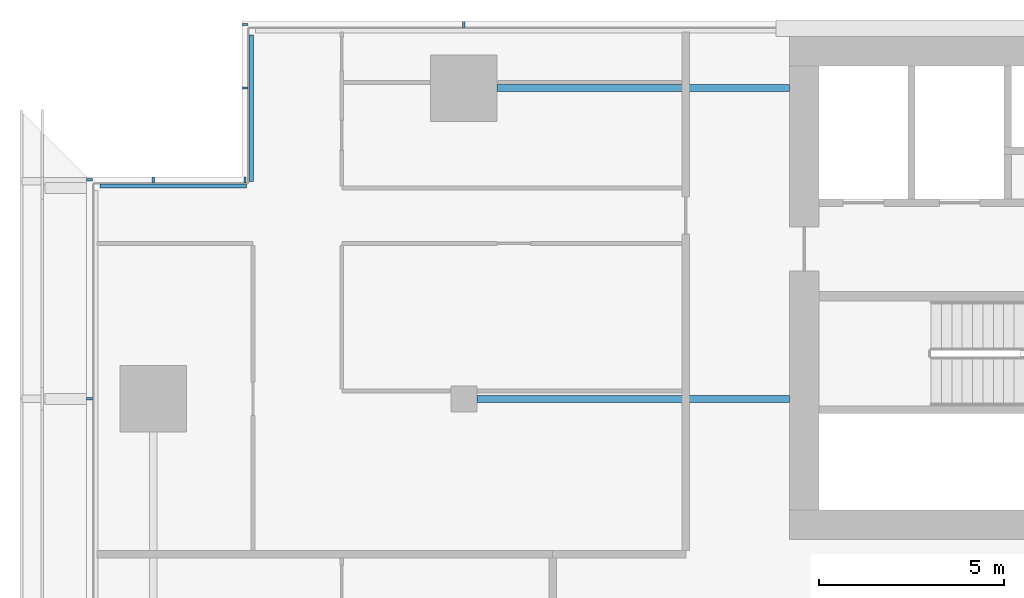
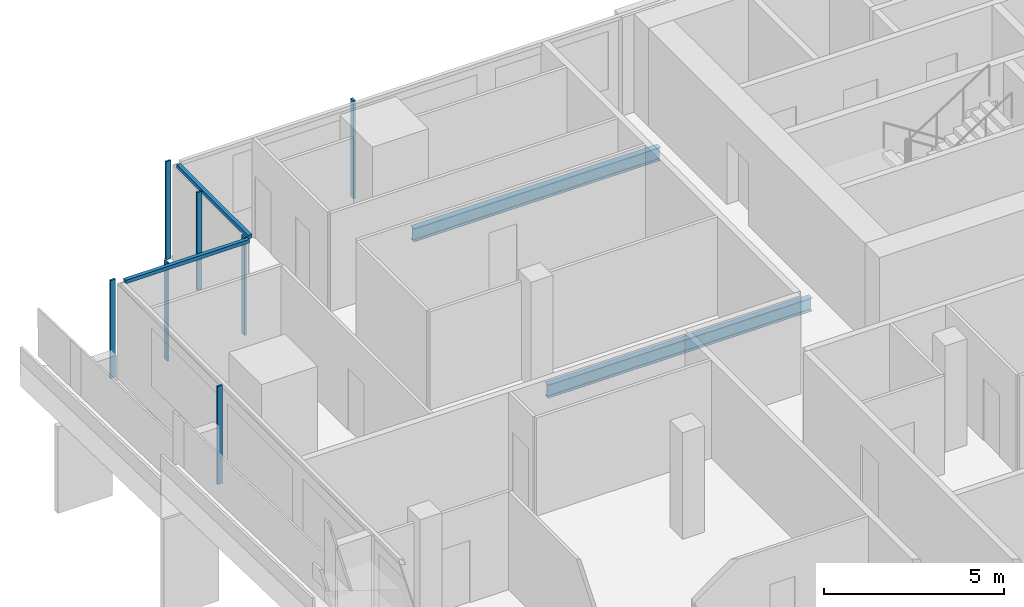
# One storey, part 8 of 29: 9 members, 2 beams, 4 elements without a shape of their own.
"""IFC4 building model written with IfcOpenShell, lengths in metres."""

from ifc_helpers import new_model, si_unit, direction, frame, origin, origin_2d, place, context, subcontext, project, spatial, rectangle, i_section, extrude, material, material_profile, profile_set, type_object, element, aggregate, save


model = new_model("IFC4")

# Units and contexts
model_context = context("Model", 3, precision=1e-05, world=origin(), true_north=direction((0.0, 1.0)))
body_context = subcontext(model_context, "Body", "Model", "MODEL_VIEW")
ifc_project = project(units=[si_unit("LENGTHUNIT", "METRE"), si_unit("AREAUNIT", "SQUARE_METRE"), si_unit("VOLUMEUNIT", "CUBIC_METRE"), si_unit("PLANEANGLEUNIT", "RADIAN"), si_unit("MASSUNIT", "GRAM", prefix="KILO")], contexts=[model_context])

# Site, building, storey
site_placement = place(None, origin())
site = spatial("IfcSite", under=ifc_project, at=site_placement, CompositionType="ELEMENT")
building_placement = place(site_placement, origin())
building = spatial("IfcBuilding", under=site, at=building_placement, Name="Saffron Gate Tower", CompositionType="ELEMENT")
storey_placement = place(building_placement, frame((0.0, 0.0, 161.85009765625)))
storey = spatial("IfcBuildingStorey", under=building, at=storey_placement, Name="L39", CompositionType="ELEMENT", Elevation=161.85009765625)

# Beams
ifc_material_1 = material(Name="Structural steel S355", Category="steel")
ifc_material_profile_1 = material_profile(ifc_material_1, i_section(OverallWidth=0.18994140625, OverallDepth=0.449951171875, WebThickness=0.009521484375, FlangeThickness=0.0146484375, FilletRadius=0.02099609375, at=origin_2d()))
ifc_profile_set_1 = profile_set([ifc_material_profile_1], Name="Structural steel S355")
beam_type = type_object("IfcBeamType", Name="B6 IPE 450", PredefinedType="BEAM", material=ifc_profile_set_1)
beam_1_placement = place(storey_placement, frame((58.550048828125, 65.39990234375, -0.505126953125), z_axis=(1.0, 0.0, 0.0), x_axis=(0.0, 1.0, 0.0)))
element("IfcBeam", 1, at=beam_1_placement, inside=storey, type_object=beam_type, Name="B6 CORE TIE BEAM", PredefinedType="BEAM", context=body_context, shape_type="SweptSolid", body=[
    extrude(i_section(OverallWidth=0.18994140625, OverallDepth=0.449951171875, WebThickness=0.009521484375, FlangeThickness=0.0146484375, FilletRadius=0.02099609375, at=origin_2d()), origin(), (0.0, 0.0, 1.0), 8.449951171875),
])
beam_2_placement = place(storey_placement, frame((59.10009765625, 73.800048828125, -0.505126953125), z_axis=(1.0, 0.0, 0.0), x_axis=(0.0, 1.0, 0.0)))
element("IfcBeam", 2, at=beam_2_placement, inside=storey, type_object=beam_type, Name="B6 CORE TIE BEAM", PredefinedType="BEAM", context=body_context, shape_type="SweptSolid", body=[
    extrude(i_section(OverallWidth=0.18994140625, OverallDepth=0.449951171875, WebThickness=0.009521484375, FlangeThickness=0.0146484375, FilletRadius=0.02099609375, at=origin_2d()), origin(), (0.0, 0.0, 1.0), 7.89990234375),
])

# Curtain wall, members
ifc_material_2 = material(Name="Aluminium, bronze anodised", Category="aluminium")
curtain_wall_type_1 = type_object("IfcCurtainWallType", Name="CWS2 curtain wall side facades", PredefinedType="NOTDEFINED", material=ifc_material_2)
curtain_wall_1_placement = place(storey_placement, origin())
curtain_wall_1 = element("IfcCurtainWall", 3, at=curtain_wall_1_placement, inside=storey, type_object=curtain_wall_type_1, Name="CWS2 run 10", PredefinedType="NOTDEFINED")
ifc_material_profile_2 = material_profile(ifc_material_2, rectangle(XDim=0.159912109375, YDim=0.06005859375, at=origin_2d()))
ifc_profile_set_2 = profile_set([ifc_material_profile_2], Name="Aluminium, bronze anodised")
member_type_1 = type_object("IfcMemberType", Name="CWS2 mullion 60x160", PredefinedType="MULLION", material=ifc_profile_set_2)
member_1_placement = place(storey_placement, frame((48.080078125, 71.320068359375, 0.0), z_axis=(0.0, 0.0, 1.0), x_axis=(1.0, 0.0, 0.0)))
member_1 = element("IfcMember", 4, at=member_1_placement, type_object=member_type_1, Name="CWS2 mullion 1", PredefinedType="MULLION", context=body_context, shape_type="SweptSolid", body=[
    extrude(rectangle(XDim=0.159912109375, YDim=0.06005859375, at=origin_2d()), origin(), (0.0, 0.0, 1.0), 3.31982421875),
])
member_2_placement = place(storey_placement, frame((48.080078125, 65.39990234375, 0.0), z_axis=(0.0, 0.0, 1.0), x_axis=(1.0, 0.0, 0.0)))
member_2 = element("IfcMember", 5, at=member_2_placement, type_object=member_type_1, Name="CWS2 mullion 2", PredefinedType="MULLION", context=body_context, shape_type="SweptSolid", body=[
    extrude(rectangle(XDim=0.159912109375, YDim=0.06005859375, at=origin_2d()), origin(), (0.0, 0.0, 1.0), 3.31982421875),
])
aggregate(curtain_wall_1, [member_1, member_2])

# Curtain wall, member
curtain_wall_type_2 = type_object("IfcCurtainWallType", Name="CWS3 curtain wall rear facade", PredefinedType="NOTDEFINED", material=ifc_material_2)
curtain_wall_2_placement = place(storey_placement, origin())
curtain_wall_2 = element("IfcCurtainWall", 6, at=curtain_wall_2_placement, inside=storey, type_object=curtain_wall_type_2, Name="CWS3 run 7", PredefinedType="NOTDEFINED")
ifc_material_profile_3 = material_profile(ifc_material_2, rectangle(XDim=0.159912109375, YDim=0.070068359375, at=origin_2d()))
ifc_profile_set_3 = profile_set([ifc_material_profile_3], Name="Aluminium, bronze anodised")
member_type_2 = type_object("IfcMemberType", Name="CWS3 mullion 70x160", PredefinedType="MULLION", material=ifc_profile_set_3)
member_3_placement = place(storey_placement, frame((58.199951171875, 75.52001953125, 0.0), z_axis=(0.0, 0.0, 1.0), x_axis=(0.0, -1.0, 0.0)))
member_3 = element("IfcMember", 7, at=member_3_placement, type_object=member_type_2, Name="CWS3 mullion 9", PredefinedType="MULLION", context=body_context, shape_type="SweptSolid", body=[
    extrude(rectangle(XDim=0.159912109375, YDim=0.070068359375, at=origin_2d()), origin(), (0.0, 0.0, 1.0), 3.31982421875),
])
aggregate(curtain_wall_2, [member_3])

curtain_wall_type_3 = type_object("IfcCurtainWallType", Name="CWS4 curtain wall corner returns", PredefinedType="NOTDEFINED", material=ifc_material_2)
curtain_wall_3_placement = place(storey_placement, origin())
curtain_wall_3 = element("IfcCurtainWall", 8, at=curtain_wall_3_placement, inside=storey, type_object=curtain_wall_type_3, Name="CWS4 run 8", PredefinedType="NOTDEFINED")
ifc_material_profile_4 = material_profile(ifc_material_2, rectangle(XDim=0.1201171875, YDim=0.1201171875, at=origin_2d()))
ifc_profile_set_4 = profile_set([ifc_material_profile_4], Name="Aluminium, bronze anodised")
member_type_3 = type_object("IfcMemberType", Name="CWS4 head transom", PredefinedType="USERDEFINED", material=ifc_profile_set_4)
member_4_placement = place(storey_placement, frame((52.447998046875, 75.23193359375, 3.260009765625), z_axis=(0.0, -1.0, 0.0), x_axis=(1.0, 0.0, 0.0)))
member_4 = element("IfcMember", 9, at=member_4_placement, type_object=member_type_3, Name="CWS4 head transom", ObjectType="TRANSOM", PredefinedType="USERDEFINED", context=body_context, shape_type="SweptSolid", body=[
    extrude(rectangle(XDim=0.1201171875, YDim=0.1201171875, at=origin_2d()), origin(), (0.0, 0.0, 1.0), 3.9599609375),
])

curtain_wall_4_placement = place(storey_placement, origin())
curtain_wall_4 = element("IfcCurtainWall", 10, at=curtain_wall_4_placement, inside=storey, type_object=curtain_wall_type_3, Name="CWS4 run 9", PredefinedType="NOTDEFINED")
member_5_placement = place(storey_placement, frame((52.327880859375, 71.152099609375, 3.260009765625), z_axis=(-1.0, 0.0, 0.0), x_axis=(0.0, -1.0, 0.0)))
member_5 = element("IfcMember", 11, at=member_5_placement, type_object=member_type_3, Name="CWS4 head transom", ObjectType="TRANSOM", PredefinedType="USERDEFINED", context=body_context, shape_type="SweptSolid", body=[
    extrude(rectangle(XDim=0.1201171875, YDim=0.1201171875, at=origin_2d()), origin(), (0.0, 0.0, 1.0), 3.9599609375),
])

# Member
ifc_material_profile_5 = material_profile(ifc_material_2, rectangle(XDim=0.159912109375, YDim=0.06005859375, at=origin_2d()))
ifc_profile_set_5 = profile_set([ifc_material_profile_5], Name="Aluminium, bronze anodised")
member_type_4 = type_object("IfcMemberType", Name="CWS4 mullion 60x160", PredefinedType="MULLION", material=ifc_profile_set_5)
member_6_placement = place(storey_placement, frame((52.280029296875, 75.52001953125, 0.0), z_axis=(0.0, 0.0, 1.0), x_axis=(1.0, 0.0, 0.0)))
member_6 = element("IfcMember", 12, at=member_6_placement, type_object=member_type_4, Name="CWS4 mullion 1", PredefinedType="MULLION", context=body_context, shape_type="SweptSolid", body=[
    extrude(rectangle(XDim=0.159912109375, YDim=0.06005859375, at=origin_2d()), origin(), (0.0, 0.0, 1.0), 3.31982421875),
])

member_7_placement = place(storey_placement, frame((52.280029296875, 73.800048828125, 0.0), z_axis=(0.0, 0.0, 1.0), x_axis=(1.0, 0.0, 0.0)))
member_7 = element("IfcMember", 13, at=member_7_placement, type_object=member_type_4, Name="CWS4 mullion 2", PredefinedType="MULLION", context=body_context, shape_type="SweptSolid", body=[
    extrude(rectangle(XDim=0.159912109375, YDim=0.06005859375, at=origin_2d()), origin(), (0.0, 0.0, 1.0), 3.31982421875),
])

aggregate(curtain_wall_3, [member_6, member_7, member_4])

member_8_placement = place(storey_placement, frame((52.280029296875, 71.320068359375, 0.0), z_axis=(0.0, 0.0, 1.0), x_axis=(0.0, -1.0, 0.0)))
member_8 = element("IfcMember", 14, at=member_8_placement, type_object=member_type_4, Name="CWS4 mullion 1", PredefinedType="MULLION", context=body_context, shape_type="SweptSolid", body=[
    extrude(rectangle(XDim=0.159912109375, YDim=0.06005859375, at=origin_2d()), origin(), (0.0, 0.0, 1.0), 3.31982421875),
])

member_9_placement = place(storey_placement, frame((49.800048828125, 71.320068359375, 0.0), z_axis=(0.0, 0.0, 1.0), x_axis=(0.0, -1.0, 0.0)))
member_9 = element("IfcMember", 15, at=member_9_placement, type_object=member_type_4, Name="CWS4 mullion 2", PredefinedType="MULLION", context=body_context, shape_type="SweptSolid", body=[
    extrude(rectangle(XDim=0.159912109375, YDim=0.06005859375, at=origin_2d()), origin(), (0.0, 0.0, 1.0), 3.31982421875),
])

aggregate(curtain_wall_4, [member_8, member_9, member_5])

save(model, "model.ifc")
